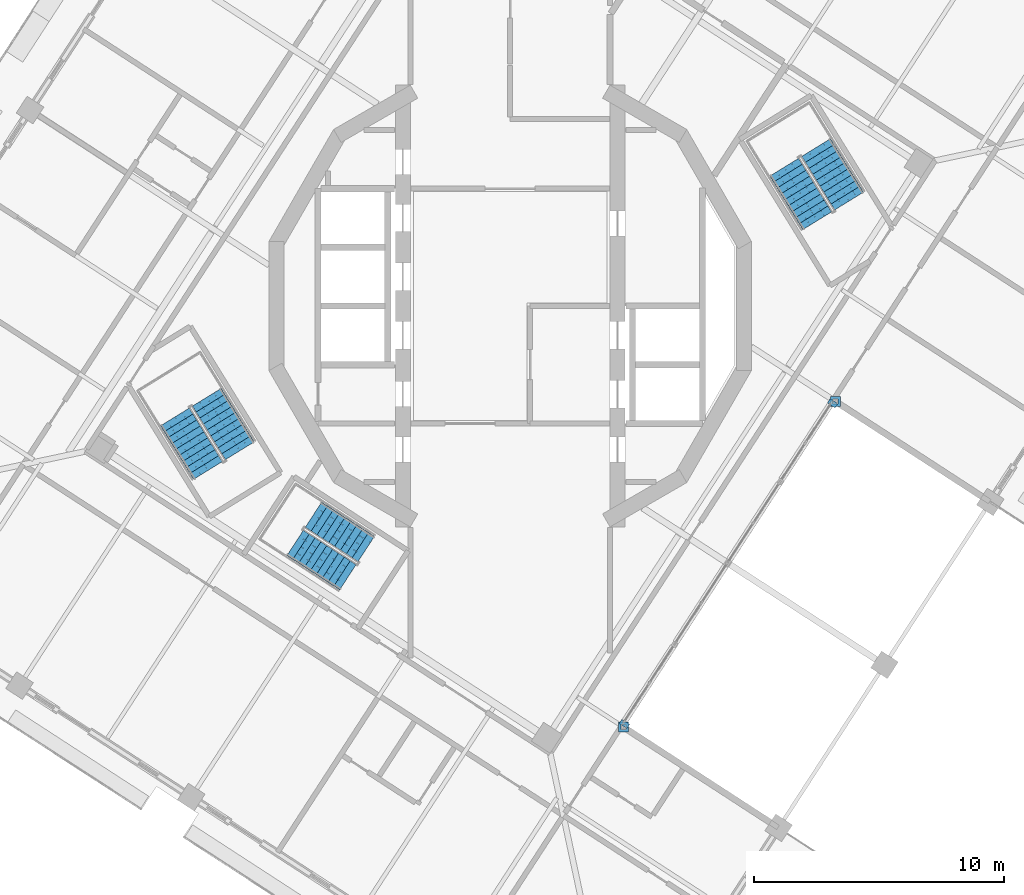
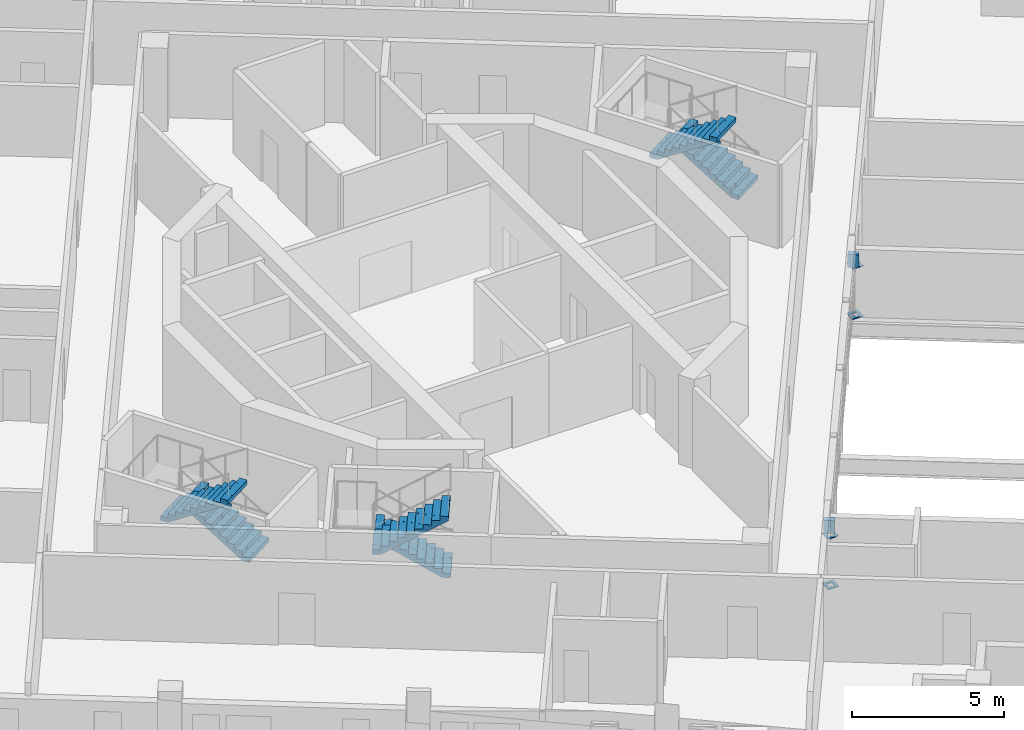
# One storey, part 11 of 17: 6 discrete accessories, 6 stair flights, 3 elements without a shape of their own.
"""IFC4 building model written with IfcOpenShell, lengths in metres."""

from ifc_helpers import new_model, si_unit, direction, frame, origin, place, context, subcontext, project, spatial, polyline, outline, extrude, material, layer, layer_set, type_object, element, aggregate, save


model = new_model("IFC4")

# Units and contexts
model_context = context("Model", 3, precision=1e-05, world=origin(), true_north=direction((0.0, 1.0)))
body_context = subcontext(model_context, "Body", "Model", "MODEL_VIEW")
ifc_project = project(units=[si_unit("LENGTHUNIT", "METRE"), si_unit("AREAUNIT", "SQUARE_METRE"), si_unit("VOLUMEUNIT", "CUBIC_METRE"), si_unit("PLANEANGLEUNIT", "RADIAN"), si_unit("MASSUNIT", "GRAM", prefix="KILO")], contexts=[model_context])

# Site, building, storey
site_placement = place(None, origin())
site = spatial("IfcSite", under=ifc_project, at=site_placement, CompositionType="ELEMENT")
building_placement = place(site_placement, origin())
building = spatial("IfcBuilding", under=site, at=building_placement, Name="Cantera Rosa Tower", CompositionType="ELEMENT")
storey_placement = place(building_placement, frame((0.0, 0.0, 257.699951171875)))
storey = spatial("IfcBuildingStorey", under=building, at=storey_placement, Name="L57", CompositionType="ELEMENT", Elevation=257.699951171875)

# Stair, stair flights
ifc_material_1 = material(Name="Concrete C35/45", Category="concrete")
stair_type_1 = type_object("IfcStairType", Name="EXIT STAIR 1200 DOGLEG", PredefinedType="HALF_TURN_STAIR", material=ifc_material_1)
stair_1_placement = place(storey_placement, origin())
stair_1 = element("IfcStair", 1, at=stair_1_placement, inside=storey, type_object=stair_type_1, Name="L57 ST-53", PredefinedType="HALF_TURN_STAIR")
ifc_material_2 = material(Name="Concrete C35/45", Category="concrete")
stair_flight_type_1 = type_object("IfcStairFlightType", Name="STAIR FLIGHT 1200 R20x180", PredefinedType="STRAIGHT", material=ifc_material_2)
stair_flight_1_placement = place(storey_placement, frame((-5.76318359375, -9.728271484375, 0.0), z_axis=(0.0, 0.0, 1.0), x_axis=(-0.838670567945, 0.544639035015, 0.0)))
stair_flight_1 = element("IfcStairFlight", 2, at=stair_flight_1_placement, type_object=stair_flight_type_1, Name="ST-53 flight 1", NumberOfRisers=10, NumberOfTreads=9, PredefinedType="STRAIGHT", RiserHeight=0.18, TreadLength=0.28, context=body_context, shape_type="SweptSolid", body=[
    extrude(outline(polyline([(0.0, 0.0), (0.0, 0.179931640625), (0.280029296875, 0.179931640625), (0.280029296875, 0.360107421875), (0.56005859375, 0.360107421875), (0.56005859375, 0.5400390625), (0.840087890625, 0.5400390625), (0.840087890625, 0.719970703125), (1.1201171875, 0.719970703125), (1.1201171875, 0.89990234375), (1.39990234375, 0.89990234375), (1.39990234375, 1.080078125), (1.679931640625, 1.080078125), (1.679931640625, 1.260009765625), (1.9599609375, 1.260009765625), (1.9599609375, 1.43994140625), (2.239990234375, 1.43994140625), (2.239990234375, 1.6201171875), (2.52001953125, 1.6201171875), (2.52001953125, 1.800048828125), (2.52001953125, 1.44189453125), (0.277099609375, 0.0), (0.0, 0.0)])), frame((0.0, 0.60009765625, 0.0), z_axis=(0.0, -1.0, 0.0), x_axis=(1.0, 0.0, 0.0)), (0.0, 0.0, 1.0), 0.298583984375),
    extrude(outline(polyline([(0.0, 0.0), (0.0, 0.179931640625), (0.280029296875, 0.179931640625), (0.280029296875, 0.360107421875), (0.56005859375, 0.360107421875), (0.56005859375, 0.5400390625), (0.840087890625, 0.5400390625), (0.840087890625, 0.719970703125), (1.1201171875, 0.719970703125), (1.1201171875, 0.89990234375), (1.39990234375, 0.89990234375), (1.39990234375, 1.080078125), (1.679931640625, 1.080078125), (1.679931640625, 1.260009765625), (1.9599609375, 1.260009765625), (1.9599609375, 1.43994140625), (2.239990234375, 1.43994140625), (2.239990234375, 1.6201171875), (2.52001953125, 1.6201171875), (2.52001953125, 1.800048828125), (2.52001953125, 1.44189453125), (0.277099609375, 0.0), (0.0, 0.0)])), frame((0.0, 0.29931640625, 0.0), z_axis=(0.0, -1.0, 0.0), x_axis=(1.0, 0.0, 0.0)), (0.0, 0.0, 1.0), 0.298583984375),
    extrude(outline(polyline([(0.0, 0.0), (0.0, 0.179931640625), (0.280029296875, 0.179931640625), (0.280029296875, 0.360107421875), (0.56005859375, 0.360107421875), (0.56005859375, 0.5400390625), (0.840087890625, 0.5400390625), (0.840087890625, 0.719970703125), (1.1201171875, 0.719970703125), (1.1201171875, 0.89990234375), (1.39990234375, 0.89990234375), (1.39990234375, 1.080078125), (1.679931640625, 1.080078125), (1.679931640625, 1.260009765625), (1.9599609375, 1.260009765625), (1.9599609375, 1.43994140625), (2.239990234375, 1.43994140625), (2.239990234375, 1.6201171875), (2.52001953125, 1.6201171875), (2.52001953125, 1.800048828125), (2.52001953125, 1.44189453125), (0.277099609375, 0.0), (0.0, 0.0)])), frame((0.0, -0.0009765625, 0.0), z_axis=(0.0, -1.0, 0.0), x_axis=(1.0, 0.0, 0.0)), (0.0, 0.0, 1.0), 0.298583984375),
    extrude(outline(polyline([(0.0, 0.0), (0.0, 0.179931640625), (0.280029296875, 0.179931640625), (0.280029296875, 0.360107421875), (0.56005859375, 0.360107421875), (0.56005859375, 0.5400390625), (0.840087890625, 0.5400390625), (0.840087890625, 0.719970703125), (1.1201171875, 0.719970703125), (1.1201171875, 0.89990234375), (1.39990234375, 0.89990234375), (1.39990234375, 1.080078125), (1.679931640625, 1.080078125), (1.679931640625, 1.260009765625), (1.9599609375, 1.260009765625), (1.9599609375, 1.43994140625), (2.239990234375, 1.43994140625), (2.239990234375, 1.6201171875), (2.52001953125, 1.6201171875), (2.52001953125, 1.800048828125), (2.52001953125, 1.44189453125), (0.277099609375, 0.0), (0.0, 0.0)])), frame((0.0, -0.3017578125, 0.0), z_axis=(0.0, -1.0, 0.0), x_axis=(1.0, 0.0, 0.0)), (0.0, 0.0, 1.0), 0.298583984375),
])
stair_flight_2_placement = place(storey_placement, frame((-8.61181640625, -9.488037109375, 1.800048828125), z_axis=(0.0, 0.0, 1.0), x_axis=(0.838670567945, -0.544639035015, 0.0)))
stair_flight_2 = element("IfcStairFlight", 3, at=stair_flight_2_placement, type_object=stair_flight_type_1, Name="ST-53 flight 2", NumberOfRisers=10, NumberOfTreads=9, PredefinedType="STRAIGHT", RiserHeight=0.18, TreadLength=0.28, context=body_context, shape_type="SweptSolid", body=[
    extrude(outline(polyline([(0.0, 0.0), (0.0, 0.179931640625), (0.280029296875, 0.179931640625), (0.280029296875, 0.360107421875), (0.56005859375, 0.360107421875), (0.56005859375, 0.5400390625), (0.840087890625, 0.5400390625), (0.840087890625, 0.719970703125), (1.1201171875, 0.719970703125), (1.1201171875, 0.89990234375), (1.39990234375, 0.89990234375), (1.39990234375, 1.080078125), (1.679931640625, 1.080078125), (1.679931640625, 1.260009765625), (1.9599609375, 1.260009765625), (1.9599609375, 1.43994140625), (2.239990234375, 1.43994140625), (2.239990234375, 1.6201171875), (2.52001953125, 1.6201171875), (2.52001953125, 1.800048828125), (2.52001953125, 1.44189453125), (0.277099609375, 0.0), (0.0, 0.0)])), frame((0.0, 0.60009765625, 0.0), z_axis=(0.0, -1.0, 0.0), x_axis=(1.0, 0.0, 0.0)), (0.0, 0.0, 1.0), 0.298583984375),
    extrude(outline(polyline([(0.0, 0.0), (0.0, 0.179931640625), (0.280029296875, 0.179931640625), (0.280029296875, 0.360107421875), (0.56005859375, 0.360107421875), (0.56005859375, 0.5400390625), (0.840087890625, 0.5400390625), (0.840087890625, 0.719970703125), (1.1201171875, 0.719970703125), (1.1201171875, 0.89990234375), (1.39990234375, 0.89990234375), (1.39990234375, 1.080078125), (1.679931640625, 1.080078125), (1.679931640625, 1.260009765625), (1.9599609375, 1.260009765625), (1.9599609375, 1.43994140625), (2.239990234375, 1.43994140625), (2.239990234375, 1.6201171875), (2.52001953125, 1.6201171875), (2.52001953125, 1.800048828125), (2.52001953125, 1.44189453125), (0.277099609375, 0.0), (0.0, 0.0)])), frame((0.0, 0.29931640625, 0.0), z_axis=(0.0, -1.0, 0.0), x_axis=(1.0, 0.0, 0.0)), (0.0, 0.0, 1.0), 0.298583984375),
    extrude(outline(polyline([(0.0, 0.0), (0.0, 0.179931640625), (0.280029296875, 0.179931640625), (0.280029296875, 0.360107421875), (0.56005859375, 0.360107421875), (0.56005859375, 0.5400390625), (0.840087890625, 0.5400390625), (0.840087890625, 0.719970703125), (1.1201171875, 0.719970703125), (1.1201171875, 0.89990234375), (1.39990234375, 0.89990234375), (1.39990234375, 1.080078125), (1.679931640625, 1.080078125), (1.679931640625, 1.260009765625), (1.9599609375, 1.260009765625), (1.9599609375, 1.43994140625), (2.239990234375, 1.43994140625), (2.239990234375, 1.6201171875), (2.52001953125, 1.6201171875), (2.52001953125, 1.800048828125), (2.52001953125, 1.44189453125), (0.277099609375, 0.0), (0.0, 0.0)])), frame((0.0, -0.0009765625, 0.0), z_axis=(0.0, -1.0, 0.0), x_axis=(1.0, 0.0, 0.0)), (0.0, 0.0, 1.0), 0.298583984375),
    extrude(outline(polyline([(0.0, 0.0), (0.0, 0.179931640625), (0.280029296875, 0.179931640625), (0.280029296875, 0.360107421875), (0.56005859375, 0.360107421875), (0.56005859375, 0.5400390625), (0.840087890625, 0.5400390625), (0.840087890625, 0.719970703125), (1.1201171875, 0.719970703125), (1.1201171875, 0.89990234375), (1.39990234375, 0.89990234375), (1.39990234375, 1.080078125), (1.679931640625, 1.080078125), (1.679931640625, 1.260009765625), (1.9599609375, 1.260009765625), (1.9599609375, 1.43994140625), (2.239990234375, 1.43994140625), (2.239990234375, 1.6201171875), (2.52001953125, 1.6201171875), (2.52001953125, 1.800048828125), (2.52001953125, 1.44189453125), (0.277099609375, 0.0), (0.0, 0.0)])), frame((0.0, -0.3017578125, 0.0), z_axis=(0.0, -1.0, 0.0), x_axis=(1.0, 0.0, 0.0)), (0.0, 0.0, 1.0), 0.298583984375),
])
aggregate(stair_1, [stair_flight_1, stair_flight_2])

ifc_material_3 = material(Name="Concrete C35/45", Category="concrete")
stair_type_2 = type_object("IfcStairType", Name="EXIT STAIR 1350 DOGLEG", PredefinedType="HALF_TURN_STAIR", material=ifc_material_3)
stair_2_placement = place(storey_placement, origin())
stair_2 = element("IfcStair", 4, at=stair_2_placement, inside=storey, type_object=stair_type_2, Name="L57 ST-51", PredefinedType="HALF_TURN_STAIR")
ifc_material_4 = material(Name="Concrete C35/45", Category="concrete")
stair_flight_type_2 = type_object("IfcStairFlightType", Name="STAIR FLIGHT 1350 R20x180", PredefinedType="STRAIGHT", material=ifc_material_4)
stair_flight_3_placement = place(storey_placement, frame((13.5732421875, 4.2021484375, 0.0), z_axis=(0.0, 0.0, 1.0), x_axis=(-0.524976585286, 0.851116669383, 0.0)))
stair_flight_3 = element("IfcStairFlight", 5, at=stair_flight_3_placement, type_object=stair_flight_type_2, Name="ST-51 flight 1", NumberOfRisers=10, NumberOfTreads=9, PredefinedType="STRAIGHT", RiserHeight=0.18, TreadLength=0.28, context=body_context, shape_type="SweptSolid", body=[
    extrude(outline(polyline([(0.0, 0.0), (0.0, 0.179931640625), (0.280029296875, 0.179931640625), (0.280029296875, 0.360107421875), (0.56005859375, 0.360107421875), (0.56005859375, 0.5400390625), (0.840087890625, 0.5400390625), (0.840087890625, 0.719970703125), (1.1201171875, 0.719970703125), (1.1201171875, 0.89990234375), (1.39990234375, 0.89990234375), (1.39990234375, 1.080078125), (1.679931640625, 1.080078125), (1.679931640625, 1.260009765625), (1.9599609375, 1.260009765625), (1.9599609375, 1.43994140625), (2.239990234375, 1.43994140625), (2.239990234375, 1.6201171875), (2.52001953125, 1.6201171875), (2.52001953125, 1.800048828125), (2.52001953125, 1.44189453125), (0.277099609375, 0.0), (0.0, 0.0)])), frame((0.0, 0.675048828125, 0.0), z_axis=(0.0, -1.0, 0.0), x_axis=(1.0, 0.0, 0.0)), (0.0, 0.0, 1.0), 0.3359375),
    extrude(outline(polyline([(0.0, 0.0), (0.0, 0.179931640625), (0.280029296875, 0.179931640625), (0.280029296875, 0.360107421875), (0.56005859375, 0.360107421875), (0.56005859375, 0.5400390625), (0.840087890625, 0.5400390625), (0.840087890625, 0.719970703125), (1.1201171875, 0.719970703125), (1.1201171875, 0.89990234375), (1.39990234375, 0.89990234375), (1.39990234375, 1.080078125), (1.679931640625, 1.080078125), (1.679931640625, 1.260009765625), (1.9599609375, 1.260009765625), (1.9599609375, 1.43994140625), (2.239990234375, 1.43994140625), (2.239990234375, 1.6201171875), (2.52001953125, 1.6201171875), (2.52001953125, 1.800048828125), (2.52001953125, 1.44189453125), (0.277099609375, 0.0), (0.0, 0.0)])), frame((0.0, 0.337158203125, 0.0), z_axis=(0.0, -1.0, 0.0), x_axis=(1.0, 0.0, 0.0)), (0.0, 0.0, 1.0), 0.3359375),
    extrude(outline(polyline([(0.0, 0.0), (0.0, 0.179931640625), (0.280029296875, 0.179931640625), (0.280029296875, 0.360107421875), (0.56005859375, 0.360107421875), (0.56005859375, 0.5400390625), (0.840087890625, 0.5400390625), (0.840087890625, 0.719970703125), (1.1201171875, 0.719970703125), (1.1201171875, 0.89990234375), (1.39990234375, 0.89990234375), (1.39990234375, 1.080078125), (1.679931640625, 1.080078125), (1.679931640625, 1.260009765625), (1.9599609375, 1.260009765625), (1.9599609375, 1.43994140625), (2.239990234375, 1.43994140625), (2.239990234375, 1.6201171875), (2.52001953125, 1.6201171875), (2.52001953125, 1.800048828125), (2.52001953125, 1.44189453125), (0.277099609375, 0.0), (0.0, 0.0)])), frame((0.0, -0.000732421875, 0.0), z_axis=(0.0, -1.0, 0.0), x_axis=(1.0, 0.0, 0.0)), (0.0, 0.0, 1.0), 0.3359375),
    extrude(outline(polyline([(0.0, 0.0), (0.0, 0.179931640625), (0.280029296875, 0.179931640625), (0.280029296875, 0.360107421875), (0.56005859375, 0.360107421875), (0.56005859375, 0.5400390625), (0.840087890625, 0.5400390625), (0.840087890625, 0.719970703125), (1.1201171875, 0.719970703125), (1.1201171875, 0.89990234375), (1.39990234375, 0.89990234375), (1.39990234375, 1.080078125), (1.679931640625, 1.080078125), (1.679931640625, 1.260009765625), (1.9599609375, 1.260009765625), (1.9599609375, 1.43994140625), (2.239990234375, 1.43994140625), (2.239990234375, 1.6201171875), (2.52001953125, 1.6201171875), (2.52001953125, 1.800048828125), (2.52001953125, 1.44189453125), (0.277099609375, 0.0), (0.0, 0.0)])), frame((0.0, -0.338623046875, 0.0), z_axis=(0.0, -1.0, 0.0), x_axis=(1.0, 0.0, 0.0)), (0.0, 0.0, 1.0), 0.3359375),
])
stair_flight_4_placement = place(storey_placement, frame((10.9736328125, 5.5595703125, 1.800048828125), z_axis=(0.0, 0.0, 1.0), x_axis=(0.524976585286, -0.851116669383, 0.0)))
stair_flight_4 = element("IfcStairFlight", 6, at=stair_flight_4_placement, type_object=stair_flight_type_2, Name="ST-51 flight 2", NumberOfRisers=10, NumberOfTreads=9, PredefinedType="STRAIGHT", RiserHeight=0.18, TreadLength=0.28, context=body_context, shape_type="SweptSolid", body=[
    extrude(outline(polyline([(0.0, 0.0), (0.0, 0.179931640625), (0.280029296875, 0.179931640625), (0.280029296875, 0.360107421875), (0.56005859375, 0.360107421875), (0.56005859375, 0.5400390625), (0.840087890625, 0.5400390625), (0.840087890625, 0.719970703125), (1.1201171875, 0.719970703125), (1.1201171875, 0.89990234375), (1.39990234375, 0.89990234375), (1.39990234375, 1.080078125), (1.679931640625, 1.080078125), (1.679931640625, 1.260009765625), (1.9599609375, 1.260009765625), (1.9599609375, 1.43994140625), (2.239990234375, 1.43994140625), (2.239990234375, 1.6201171875), (2.52001953125, 1.6201171875), (2.52001953125, 1.800048828125), (2.52001953125, 1.44189453125), (0.277099609375, 0.0), (0.0, 0.0)])), frame((0.0, 0.675048828125, 0.0), z_axis=(0.0, -1.0, 0.0), x_axis=(1.0, 0.0, 0.0)), (0.0, 0.0, 1.0), 0.3359375),
    extrude(outline(polyline([(0.0, 0.0), (0.0, 0.179931640625), (0.280029296875, 0.179931640625), (0.280029296875, 0.360107421875), (0.56005859375, 0.360107421875), (0.56005859375, 0.5400390625), (0.840087890625, 0.5400390625), (0.840087890625, 0.719970703125), (1.1201171875, 0.719970703125), (1.1201171875, 0.89990234375), (1.39990234375, 0.89990234375), (1.39990234375, 1.080078125), (1.679931640625, 1.080078125), (1.679931640625, 1.260009765625), (1.9599609375, 1.260009765625), (1.9599609375, 1.43994140625), (2.239990234375, 1.43994140625), (2.239990234375, 1.6201171875), (2.52001953125, 1.6201171875), (2.52001953125, 1.800048828125), (2.52001953125, 1.44189453125), (0.277099609375, 0.0), (0.0, 0.0)])), frame((0.0, 0.337158203125, 0.0), z_axis=(0.0, -1.0, 0.0), x_axis=(1.0, 0.0, 0.0)), (0.0, 0.0, 1.0), 0.3359375),
    extrude(outline(polyline([(0.0, 0.0), (0.0, 0.179931640625), (0.280029296875, 0.179931640625), (0.280029296875, 0.360107421875), (0.56005859375, 0.360107421875), (0.56005859375, 0.5400390625), (0.840087890625, 0.5400390625), (0.840087890625, 0.719970703125), (1.1201171875, 0.719970703125), (1.1201171875, 0.89990234375), (1.39990234375, 0.89990234375), (1.39990234375, 1.080078125), (1.679931640625, 1.080078125), (1.679931640625, 1.260009765625), (1.9599609375, 1.260009765625), (1.9599609375, 1.43994140625), (2.239990234375, 1.43994140625), (2.239990234375, 1.6201171875), (2.52001953125, 1.6201171875), (2.52001953125, 1.800048828125), (2.52001953125, 1.44189453125), (0.277099609375, 0.0), (0.0, 0.0)])), frame((0.0, -0.000732421875, 0.0), z_axis=(0.0, -1.0, 0.0), x_axis=(1.0, 0.0, 0.0)), (0.0, 0.0, 1.0), 0.3359375),
    extrude(outline(polyline([(0.0, 0.0), (0.0, 0.179931640625), (0.280029296875, 0.179931640625), (0.280029296875, 0.360107421875), (0.56005859375, 0.360107421875), (0.56005859375, 0.5400390625), (0.840087890625, 0.5400390625), (0.840087890625, 0.719970703125), (1.1201171875, 0.719970703125), (1.1201171875, 0.89990234375), (1.39990234375, 0.89990234375), (1.39990234375, 1.080078125), (1.679931640625, 1.080078125), (1.679931640625, 1.260009765625), (1.9599609375, 1.260009765625), (1.9599609375, 1.43994140625), (2.239990234375, 1.43994140625), (2.239990234375, 1.6201171875), (2.52001953125, 1.6201171875), (2.52001953125, 1.800048828125), (2.52001953125, 1.44189453125), (0.277099609375, 0.0), (0.0, 0.0)])), frame((0.0, -0.338623046875, 0.0), z_axis=(0.0, -1.0, 0.0), x_axis=(1.0, 0.0, 0.0)), (0.0, 0.0, 1.0), 0.3359375),
])
aggregate(stair_2, [stair_flight_3, stair_flight_4])

stair_3_placement = place(storey_placement, origin())
stair_3 = element("IfcStair", 7, at=stair_3_placement, inside=storey, type_object=stair_type_2, Name="L57 ST-52", PredefinedType="HALF_TURN_STAIR")
stair_flight_5_placement = place(storey_placement, frame((-10.82666015625, -5.7978515625, 0.0), z_axis=(0.0, 0.0, 1.0), x_axis=(-0.524976585286, 0.851116669383, 0.0)))
stair_flight_5 = element("IfcStairFlight", 8, at=stair_flight_5_placement, type_object=stair_flight_type_2, Name="ST-52 flight 1", NumberOfRisers=10, NumberOfTreads=9, PredefinedType="STRAIGHT", RiserHeight=0.18, TreadLength=0.28, context=body_context, shape_type="SweptSolid", body=[
    extrude(outline(polyline([(0.0, 0.0), (0.0, 0.179931640625), (0.280029296875, 0.179931640625), (0.280029296875, 0.360107421875), (0.56005859375, 0.360107421875), (0.56005859375, 0.5400390625), (0.840087890625, 0.5400390625), (0.840087890625, 0.719970703125), (1.1201171875, 0.719970703125), (1.1201171875, 0.89990234375), (1.39990234375, 0.89990234375), (1.39990234375, 1.080078125), (1.679931640625, 1.080078125), (1.679931640625, 1.260009765625), (1.9599609375, 1.260009765625), (1.9599609375, 1.43994140625), (2.239990234375, 1.43994140625), (2.239990234375, 1.6201171875), (2.52001953125, 1.6201171875), (2.52001953125, 1.800048828125), (2.52001953125, 1.44189453125), (0.277099609375, 0.0), (0.0, 0.0)])), frame((0.0, 0.675048828125, 0.0), z_axis=(0.0, -1.0, 0.0), x_axis=(1.0, 0.0, 0.0)), (0.0, 0.0, 1.0), 0.3359375),
    extrude(outline(polyline([(0.0, 0.0), (0.0, 0.179931640625), (0.280029296875, 0.179931640625), (0.280029296875, 0.360107421875), (0.56005859375, 0.360107421875), (0.56005859375, 0.5400390625), (0.840087890625, 0.5400390625), (0.840087890625, 0.719970703125), (1.1201171875, 0.719970703125), (1.1201171875, 0.89990234375), (1.39990234375, 0.89990234375), (1.39990234375, 1.080078125), (1.679931640625, 1.080078125), (1.679931640625, 1.260009765625), (1.9599609375, 1.260009765625), (1.9599609375, 1.43994140625), (2.239990234375, 1.43994140625), (2.239990234375, 1.6201171875), (2.52001953125, 1.6201171875), (2.52001953125, 1.800048828125), (2.52001953125, 1.44189453125), (0.277099609375, 0.0), (0.0, 0.0)])), frame((0.0, 0.337158203125, 0.0), z_axis=(0.0, -1.0, 0.0), x_axis=(1.0, 0.0, 0.0)), (0.0, 0.0, 1.0), 0.3359375),
    extrude(outline(polyline([(0.0, 0.0), (0.0, 0.179931640625), (0.280029296875, 0.179931640625), (0.280029296875, 0.360107421875), (0.56005859375, 0.360107421875), (0.56005859375, 0.5400390625), (0.840087890625, 0.5400390625), (0.840087890625, 0.719970703125), (1.1201171875, 0.719970703125), (1.1201171875, 0.89990234375), (1.39990234375, 0.89990234375), (1.39990234375, 1.080078125), (1.679931640625, 1.080078125), (1.679931640625, 1.260009765625), (1.9599609375, 1.260009765625), (1.9599609375, 1.43994140625), (2.239990234375, 1.43994140625), (2.239990234375, 1.6201171875), (2.52001953125, 1.6201171875), (2.52001953125, 1.800048828125), (2.52001953125, 1.44189453125), (0.277099609375, 0.0), (0.0, 0.0)])), frame((0.0, -0.000732421875, 0.0), z_axis=(0.0, -1.0, 0.0), x_axis=(1.0, 0.0, 0.0)), (0.0, 0.0, 1.0), 0.3359375),
    extrude(outline(polyline([(0.0, 0.0), (0.0, 0.179931640625), (0.280029296875, 0.179931640625), (0.280029296875, 0.360107421875), (0.56005859375, 0.360107421875), (0.56005859375, 0.5400390625), (0.840087890625, 0.5400390625), (0.840087890625, 0.719970703125), (1.1201171875, 0.719970703125), (1.1201171875, 0.89990234375), (1.39990234375, 0.89990234375), (1.39990234375, 1.080078125), (1.679931640625, 1.080078125), (1.679931640625, 1.260009765625), (1.9599609375, 1.260009765625), (1.9599609375, 1.43994140625), (2.239990234375, 1.43994140625), (2.239990234375, 1.6201171875), (2.52001953125, 1.6201171875), (2.52001953125, 1.800048828125), (2.52001953125, 1.44189453125), (0.277099609375, 0.0), (0.0, 0.0)])), frame((0.0, -0.338623046875, 0.0), z_axis=(0.0, -1.0, 0.0), x_axis=(1.0, 0.0, 0.0)), (0.0, 0.0, 1.0), 0.3359375),
])
stair_flight_6_placement = place(storey_placement, frame((-13.42626953125, -4.4404296875, 1.800048828125), z_axis=(0.0, 0.0, 1.0), x_axis=(0.524976585286, -0.851116669383, 0.0)))
stair_flight_6 = element("IfcStairFlight", 9, at=stair_flight_6_placement, type_object=stair_flight_type_2, Name="ST-52 flight 2", NumberOfRisers=10, NumberOfTreads=9, PredefinedType="STRAIGHT", RiserHeight=0.18, TreadLength=0.28, context=body_context, shape_type="SweptSolid", body=[
    extrude(outline(polyline([(0.0, 0.0), (0.0, 0.179931640625), (0.280029296875, 0.179931640625), (0.280029296875, 0.360107421875), (0.56005859375, 0.360107421875), (0.56005859375, 0.5400390625), (0.840087890625, 0.5400390625), (0.840087890625, 0.719970703125), (1.1201171875, 0.719970703125), (1.1201171875, 0.89990234375), (1.39990234375, 0.89990234375), (1.39990234375, 1.080078125), (1.679931640625, 1.080078125), (1.679931640625, 1.260009765625), (1.9599609375, 1.260009765625), (1.9599609375, 1.43994140625), (2.239990234375, 1.43994140625), (2.239990234375, 1.6201171875), (2.52001953125, 1.6201171875), (2.52001953125, 1.800048828125), (2.52001953125, 1.44189453125), (0.277099609375, 0.0), (0.0, 0.0)])), frame((0.0, 0.675048828125, 0.0), z_axis=(0.0, -1.0, 0.0), x_axis=(1.0, 0.0, 0.0)), (0.0, 0.0, 1.0), 0.3359375),
    extrude(outline(polyline([(0.0, 0.0), (0.0, 0.179931640625), (0.280029296875, 0.179931640625), (0.280029296875, 0.360107421875), (0.56005859375, 0.360107421875), (0.56005859375, 0.5400390625), (0.840087890625, 0.5400390625), (0.840087890625, 0.719970703125), (1.1201171875, 0.719970703125), (1.1201171875, 0.89990234375), (1.39990234375, 0.89990234375), (1.39990234375, 1.080078125), (1.679931640625, 1.080078125), (1.679931640625, 1.260009765625), (1.9599609375, 1.260009765625), (1.9599609375, 1.43994140625), (2.239990234375, 1.43994140625), (2.239990234375, 1.6201171875), (2.52001953125, 1.6201171875), (2.52001953125, 1.800048828125), (2.52001953125, 1.44189453125), (0.277099609375, 0.0), (0.0, 0.0)])), frame((0.0, 0.337158203125, 0.0), z_axis=(0.0, -1.0, 0.0), x_axis=(1.0, 0.0, 0.0)), (0.0, 0.0, 1.0), 0.3359375),
    extrude(outline(polyline([(0.0, 0.0), (0.0, 0.179931640625), (0.280029296875, 0.179931640625), (0.280029296875, 0.360107421875), (0.56005859375, 0.360107421875), (0.56005859375, 0.5400390625), (0.840087890625, 0.5400390625), (0.840087890625, 0.719970703125), (1.1201171875, 0.719970703125), (1.1201171875, 0.89990234375), (1.39990234375, 0.89990234375), (1.39990234375, 1.080078125), (1.679931640625, 1.080078125), (1.679931640625, 1.260009765625), (1.9599609375, 1.260009765625), (1.9599609375, 1.43994140625), (2.239990234375, 1.43994140625), (2.239990234375, 1.6201171875), (2.52001953125, 1.6201171875), (2.52001953125, 1.800048828125), (2.52001953125, 1.44189453125), (0.277099609375, 0.0), (0.0, 0.0)])), frame((0.0, -0.000732421875, 0.0), z_axis=(0.0, -1.0, 0.0), x_axis=(1.0, 0.0, 0.0)), (0.0, 0.0, 1.0), 0.3359375),
    extrude(outline(polyline([(0.0, 0.0), (0.0, 0.179931640625), (0.280029296875, 0.179931640625), (0.280029296875, 0.360107421875), (0.56005859375, 0.360107421875), (0.56005859375, 0.5400390625), (0.840087890625, 0.5400390625), (0.840087890625, 0.719970703125), (1.1201171875, 0.719970703125), (1.1201171875, 0.89990234375), (1.39990234375, 0.89990234375), (1.39990234375, 1.080078125), (1.679931640625, 1.080078125), (1.679931640625, 1.260009765625), (1.9599609375, 1.260009765625), (1.9599609375, 1.43994140625), (2.239990234375, 1.43994140625), (2.239990234375, 1.6201171875), (2.52001953125, 1.6201171875), (2.52001953125, 1.800048828125), (2.52001953125, 1.44189453125), (0.277099609375, 0.0), (0.0, 0.0)])), frame((0.0, -0.338623046875, 0.0), z_axis=(0.0, -1.0, 0.0), x_axis=(1.0, 0.0, 0.0)), (0.0, 0.0, 1.0), 0.3359375),
])
aggregate(stair_3, [stair_flight_5, stair_flight_6])

# Discrete accessories
ifc_material_5 = material(Name="Steel ASTM A992 (Fy 345 MPa)", Category="steel")
ifc_layer = layer(ifc_material_5, 0.0400390625)
ifc_layer_set = layer_set([ifc_layer], Name="STEEL BEARING PLATE 40")
discrete_accessory_type = type_object("IfcDiscreteAccessoryType", Name="STEEL BEARING PLATE 40", PredefinedType="ANCHORPLATE", material=ifc_layer_set)
discrete_accessory_1_placement = place(storey_placement, origin())
element("IfcDiscreteAccessory", 10, at=discrete_accessory_1_placement, inside=storey, type_object=discrete_accessory_type, Name="POST PLATE L57-1F", PredefinedType="ANCHORPLATE", context=body_context, shape_type="SweptSolid", body=[
    extrude(outline(polyline([(4.3466796875, -17.067626953125), (4.746826171875, -17.067626953125), (4.746826171875, -16.66748046875), (4.3466796875, -16.66748046875), (4.3466796875, -17.067626953125)]), holes=[polyline([(4.44677734375, -16.967529296875), (4.646728515625, -16.967529296875), (4.646728515625, -16.767578125), (4.44677734375, -16.767578125), (4.44677734375, -16.967529296875)])]), origin(), (0.0, 0.0, 1.0), 0.0400390625),
])
discrete_accessory_2_placement = place(storey_placement, frame((0.0, 0.0, 2.024169921875)))
element("IfcDiscreteAccessory", 11, at=discrete_accessory_2_placement, inside=storey, type_object=discrete_accessory_type, Name="POST PLATE L57-1T", PredefinedType="ANCHORPLATE", context=body_context, shape_type="SweptSolid", body=[
    extrude(outline(polyline([(4.3466796875, -17.067626953125), (4.746826171875, -17.067626953125), (4.746826171875, -16.66748046875), (4.3466796875, -16.66748046875), (4.3466796875, -17.067626953125)]), holes=[polyline([(4.44677734375, -16.967529296875), (4.646728515625, -16.967529296875), (4.646728515625, -16.767578125), (4.44677734375, -16.767578125), (4.44677734375, -16.967529296875)])]), origin(), (0.0, 0.0, 1.0), 0.039794921875),
])
discrete_accessory_3_placement = place(storey_placement, origin())
element("IfcDiscreteAccessory", 12, at=discrete_accessory_3_placement, inside=storey, type_object=discrete_accessory_type, Name="POST PLATE L57-2F", PredefinedType="ANCHORPLATE", context=body_context, shape_type="SweptSolid", body=[
    extrude(outline(polyline([(12.8212890625, -4.017822265625), (13.221435546875, -4.017822265625), (13.221435546875, -3.617919921875), (12.8212890625, -3.617919921875), (12.8212890625, -4.017822265625)]), holes=[polyline([(12.92138671875, -3.91796875), (13.121337890625, -3.91796875), (13.121337890625, -3.718017578125), (12.92138671875, -3.718017578125), (12.92138671875, -3.91796875)])]), origin(), (0.0, 0.0, 1.0), 0.0400390625),
])
discrete_accessory_4_placement = place(storey_placement, frame((0.0, 0.0, 2.024169921875)))
element("IfcDiscreteAccessory", 13, at=discrete_accessory_4_placement, inside=storey, type_object=discrete_accessory_type, Name="POST PLATE L57-2T", PredefinedType="ANCHORPLATE", context=body_context, shape_type="SweptSolid", body=[
    extrude(outline(polyline([(12.8212890625, -4.017822265625), (13.221435546875, -4.017822265625), (13.221435546875, -3.617919921875), (12.8212890625, -3.617919921875), (12.8212890625, -4.017822265625)]), holes=[polyline([(12.92138671875, -3.91796875), (13.121337890625, -3.91796875), (13.121337890625, -3.718017578125), (12.92138671875, -3.718017578125), (12.92138671875, -3.91796875)])]), origin(), (0.0, 0.0, 1.0), 0.039794921875),
])
discrete_accessory_5_placement = place(storey_placement, frame((0.0, 0.0, 2.06396484375)))
element("IfcDiscreteAccessory", 14, at=discrete_accessory_5_placement, inside=storey, type_object=discrete_accessory_type, Name="LINTEL PLATE L57-1", PredefinedType="ANCHORPLATE", context=body_context, shape_type="SweptSolid", body=[
    extrude(outline(polyline([(4.473876953125, -16.552001953125), (4.364990234375, -16.7197265625), (4.671875, -16.919189453125), (4.781005859375, -16.751220703125), (4.473876953125, -16.552001953125)])), origin(), (0.0, 0.0, 1.0), 0.528076171875),
])
discrete_accessory_6_placement = place(storey_placement, frame((0.0, 0.0, 2.06396484375)))
element("IfcDiscreteAccessory", 15, at=discrete_accessory_6_placement, inside=storey, type_object=discrete_accessory_type, Name="LINTEL PLATE L57-2", PredefinedType="ANCHORPLATE", context=body_context, shape_type="SweptSolid", body=[
    extrude(outline(polyline([(13.010498046875, -4.0791015625), (13.119384765625, -3.911376953125), (12.812255859375, -3.7119140625), (12.703369140625, -3.879638671875), (13.010498046875, -4.0791015625)])), origin(), (0.0, 0.0, 1.0), 0.528076171875),
])

save(model, "model.ifc")
